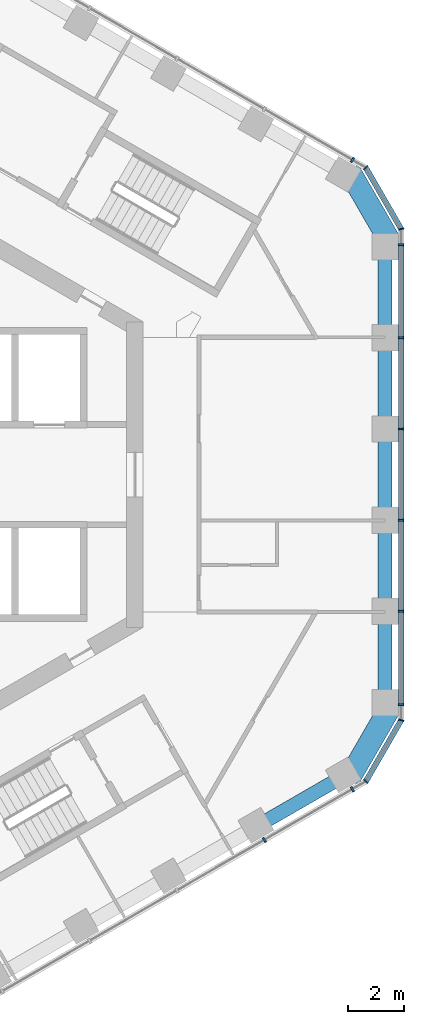
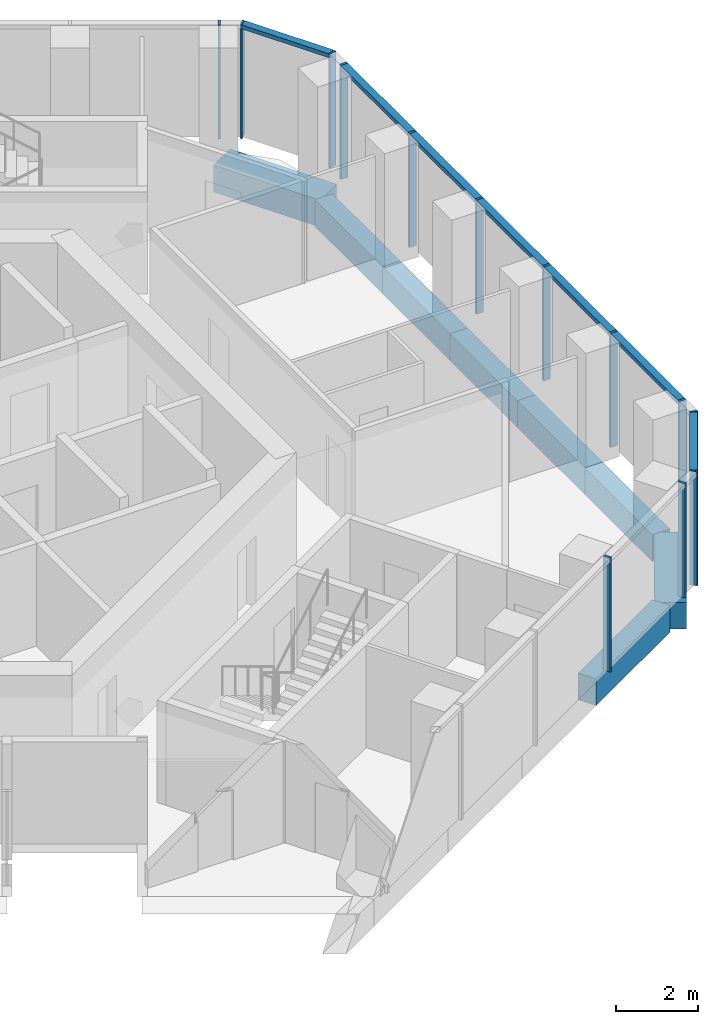
# One storey, part 5 of 18: 16 members, 8 beams, 5 elements without a shape of their own.
"""IFC4 building model written with IfcOpenShell, lengths in metres."""

from ifc_helpers import new_model, si_unit, direction, frame, origin, origin_2d, place, context, subcontext, project, spatial, rectangle, extrude, material, layer, layer_set, material_profile, profile_set, type_object, element, aggregate, save


model = new_model("IFC4")

# Units and contexts
model_context = context("Model", 3, precision=1e-05, world=origin(), true_north=direction((0.0, 1.0)))
body_context = subcontext(model_context, "Body", "Model", "MODEL_VIEW")
ifc_project = project(units=[si_unit("LENGTHUNIT", "METRE"), si_unit("AREAUNIT", "SQUARE_METRE"), si_unit("VOLUMEUNIT", "CUBIC_METRE"), si_unit("PLANEANGLEUNIT", "RADIAN"), si_unit("MASSUNIT", "GRAM", prefix="KILO")], contexts=[model_context])

# Site, building, storey
site_placement = place(None, origin())
site = spatial("IfcSite", under=ifc_project, at=site_placement, CompositionType="ELEMENT")
building_placement = place(site_placement, origin())
building = spatial("IfcBuilding", under=site, at=building_placement, Name="Ayvan Gate Tower", CompositionType="ELEMENT")
storey_placement = place(building_placement, frame((0.0, 0.0, 179.89990234375)))
storey = spatial("IfcBuildingStorey", under=building, at=storey_placement, Name="L48", CompositionType="ELEMENT", Elevation=179.89990234375)

# Beams
ifc_material_1 = material(Name="Concrete C40/50", Category="concrete")
ifc_material_profile_1 = material_profile(ifc_material_1, rectangle(XDim=0.800048828125, YDim=0.800048828125, at=origin_2d()), Name="RC 800x800")
ifc_profile_set_1 = profile_set([ifc_material_profile_1], Name="Concrete C40/50")
beam_type_1 = type_object("IfcBeamType", Name="Corner spandrel beam RC 800x800 C40/50", PredefinedType="BEAM", material=ifc_profile_set_1)
for number, where, z_axis, x_axis, name in (
    (1, (18.376953125, 8.3447265625, -0.75), (-0.499990139034, 0.866031096941, 0.0), (-0.866031096941, -0.499990139034, 0.0), "SB-L48-6"),
    (2, (16.876953125, -10.94287109375, -0.75), (0.499990139034, 0.866031096941, 0.0), (-0.866031096941, 0.499990139034, 0.0), "SB-L48-36"),
):
    element("IfcBeam", number, at=place(storey_placement, frame(where, z_axis=z_axis, x_axis=x_axis)), inside=storey, type_object=beam_type_1, Name=name, PredefinedType="BEAM", context=body_context, shape_type="SweptSolid", body=[
        extrude(rectangle(XDim=0.800048828125, YDim=0.800048828125, at=origin_2d()), origin(), (0.0, 0.0, 1.0), 3.0),
    ])
ifc_material_profile_2 = material_profile(ifc_material_1, rectangle(XDim=0.5, YDim=0.800048828125, at=origin_2d()), Name="RC 500x800")
ifc_profile_set_2 = profile_set([ifc_material_profile_2], Name="Concrete C40/50")
beam_type_2 = type_object("IfcBeamType", Name="Spandrel beam RC 500x800 C40/50", PredefinedType="BEAM", material=ifc_profile_set_2)
for number, where, z_axis, x_axis, name in (
    (3, (18.1865234375, -8.23486328125, -0.75), (0.0, 1.0, 0.0), (-1.0, 0.0, 0.0), "SB-L48-1"),
    (4, (18.1865234375, -4.94091796875, -0.75), (0.0, 1.0, 0.0), (-1.0, 0.0, 0.0), "SB-L48-2"),
    (5, (18.1865234375, -1.64697265625, -0.75), (0.0, 1.0, 0.0), (-1.0, 0.0, 0.0), "SB-L48-3"),
    (6, (18.1865234375, 1.64697265625, -0.75), (0.0, 1.0, 0.0), (-1.0, 0.0, 0.0), "SB-L48-4"),
    (7, (18.1865234375, 4.94091796875, -0.75), (0.0, 1.0, 0.0), (-1.0, 0.0, 0.0), "SB-L48-5"),
):
    element("IfcBeam", number, at=place(storey_placement, frame(where, z_axis=z_axis, x_axis=x_axis)), inside=storey, type_object=beam_type_2, Name=name, PredefinedType="BEAM", context=body_context, shape_type="SweptSolid", body=[
        extrude(rectangle(XDim=0.5, YDim=0.800048828125, at=origin_2d()), origin(), (0.0, 0.0, 1.0), 3.2939453125),
    ])
beam_placement = place(storey_placement, frame((13.556884765625, -12.639892578125, -0.75), z_axis=(0.866026957163, 0.49999730946, 0.0), x_axis=(-0.49999730946, 0.866026957163, 0.0)))
element("IfcBeam", 8, at=beam_placement, inside=storey, type_object=beam_type_2, Name="SB-L48-35", PredefinedType="BEAM", context=body_context, shape_type="SweptSolid", body=[
    extrude(rectangle(XDim=0.5, YDim=0.800048828125, at=origin_2d()), origin(), (0.0, 0.0, 1.0), 3.61376953125),
])

# Curtain wall, members
ifc_material_2 = material(Name="Bronze anodised aluminium", Category="aluminium")
ifc_layer_1 = layer(ifc_material_2, 0.199951171875)
ifc_layer_set_1 = layer_set([ifc_layer_1], Name="Bronze anodised aluminium")
curtain_wall_type_1 = type_object("IfcCurtainWallType", Name="Stick curtain wall CW-2", PredefinedType="NOTDEFINED", material=ifc_layer_set_1)
curtain_wall_1_placement = place(storey_placement, origin())
curtain_wall_1 = element("IfcCurtainWall", 9, at=curtain_wall_1_placement, inside=storey, type_object=curtain_wall_type_1, Name="Stick curtain wall CW-2 L48", PredefinedType="NOTDEFINED")
ifc_material_profile_3 = material_profile(ifc_material_2, rectangle(XDim=0.199951171875, YDim=0.070068359375, at=origin_2d()), Name="Stick curtain wall CW-2 mullion 200 x 70")
ifc_profile_set_3 = profile_set([ifc_material_profile_3], Name="Bronze anodised aluminium")
member_type_1 = type_object("IfcMemberType", Name="Stick curtain wall CW-2 mullion 200 x 70", PredefinedType="MULLION", material=ifc_profile_set_3)
member_1_placement = place(storey_placement, frame((13.850341796875, -13.119140625, 0.0), z_axis=(0.0, 0.0, 1.0), x_axis=(0.5, -0.866025403784, 0.0)))
member_1 = element("IfcMember", 10, at=member_1_placement, type_object=member_type_1, Name="CW-2 mullion 5", PredefinedType="MULLION", context=body_context, shape_type="SweptSolid", body=[
    extrude(rectangle(XDim=0.199951171875, YDim=0.070068359375, at=origin_2d()), origin(), (0.0, 0.0, 1.0), 3.400146484375),
])
member_2_placement = place(storey_placement, frame((17.00927734375, -11.29541015625, 0.0), z_axis=(0.0, 0.0, 1.0), x_axis=(0.5, -0.866025403784, 0.0)))
member_2 = element("IfcMember", 11, at=member_2_placement, type_object=member_type_1, Name="CW-2 mullion 6", PredefinedType="MULLION", context=body_context, shape_type="SweptSolid", body=[
    extrude(rectangle(XDim=0.199951171875, YDim=0.070068359375, at=origin_2d()), origin(), (0.0, 0.0, 1.0), 3.400146484375),
])
aggregate(curtain_wall_1, [member_1, member_2])

curtain_wall_2_placement = place(storey_placement, origin())
curtain_wall_2 = element("IfcCurtainWall", 12, at=curtain_wall_2_placement, inside=storey, type_object=curtain_wall_type_1, Name="Stick curtain wall CW-2 L48", PredefinedType="NOTDEFINED")
member_3_placement = place(storey_placement, frame((18.761474609375, -8.260498046875, 0.0), z_axis=(0.0, 0.0, 1.0), x_axis=(1.0, 0.0, 0.0)))
member_3 = element("IfcMember", 13, at=member_3_placement, type_object=member_type_1, Name="CW-2 mullion 1", PredefinedType="MULLION", context=body_context, shape_type="SweptSolid", body=[
    extrude(rectangle(XDim=0.199951171875, YDim=0.070068359375, at=origin_2d()), origin(), (0.0, 0.0, 1.0), 3.400146484375),
])
member_4_placement = place(storey_placement, frame((18.761474609375, -4.911376953125, 0.0), z_axis=(0.0, 0.0, 1.0), x_axis=(1.0, 0.0, 0.0)))
member_4 = element("IfcMember", 14, at=member_4_placement, type_object=member_type_1, Name="CW-2 mullion 2", PredefinedType="MULLION", context=body_context, shape_type="SweptSolid", body=[
    extrude(rectangle(XDim=0.199951171875, YDim=0.070068359375, at=origin_2d()), origin(), (0.0, 0.0, 1.0), 3.400146484375),
])
member_5_placement = place(storey_placement, frame((18.761474609375, -1.637451171875, 0.0), z_axis=(0.0, 0.0, 1.0), x_axis=(1.0, 0.0, 0.0)))
member_5 = element("IfcMember", 15, at=member_5_placement, type_object=member_type_1, Name="CW-2 mullion 3", PredefinedType="MULLION", context=body_context, shape_type="SweptSolid", body=[
    extrude(rectangle(XDim=0.199951171875, YDim=0.070068359375, at=origin_2d()), origin(), (0.0, 0.0, 1.0), 3.400146484375),
])
member_6_placement = place(storey_placement, frame((18.761474609375, 1.6376953125, 0.0), z_axis=(0.0, 0.0, 1.0), x_axis=(1.0, 0.0, 0.0)))
member_6 = element("IfcMember", 16, at=member_6_placement, type_object=member_type_1, Name="CW-2 mullion 4", PredefinedType="MULLION", context=body_context, shape_type="SweptSolid", body=[
    extrude(rectangle(XDim=0.199951171875, YDim=0.070068359375, at=origin_2d()), origin(), (0.0, 0.0, 1.0), 3.400146484375),
])
member_7_placement = place(storey_placement, frame((18.761474609375, 4.91162109375, 0.0), z_axis=(0.0, 0.0, 1.0), x_axis=(1.0, 0.0, 0.0)))
member_7 = element("IfcMember", 17, at=member_7_placement, type_object=member_type_1, Name="CW-2 mullion 5", PredefinedType="MULLION", context=body_context, shape_type="SweptSolid", body=[
    extrude(rectangle(XDim=0.199951171875, YDim=0.070068359375, at=origin_2d()), origin(), (0.0, 0.0, 1.0), 3.400146484375),
])
member_8_placement = place(storey_placement, frame((18.761474609375, 8.260498046875, 0.0), z_axis=(0.0, 0.0, 1.0), x_axis=(1.0, 0.0, 0.0)))
member_8 = element("IfcMember", 18, at=member_8_placement, type_object=member_type_1, Name="CW-2 mullion 6", PredefinedType="MULLION", context=body_context, shape_type="SweptSolid", body=[
    extrude(rectangle(XDim=0.199951171875, YDim=0.070068359375, at=origin_2d()), origin(), (0.0, 0.0, 1.0), 3.400146484375),
])

# Curtain wall, member
curtain_wall_3_placement = place(storey_placement, origin())
curtain_wall_3 = element("IfcCurtainWall", 19, at=curtain_wall_3_placement, inside=storey, type_object=curtain_wall_type_1, Name="Stick curtain wall CW-2 L48", PredefinedType="NOTDEFINED")
member_9_placement = place(storey_placement, frame((17.00927734375, 11.29541015625, 0.0), z_axis=(0.0, 0.0, 1.0), x_axis=(0.5, 0.866025403784, 0.0)))
member_9 = element("IfcMember", 20, at=member_9_placement, type_object=member_type_1, Name="CW-2 mullion 1", PredefinedType="MULLION", context=body_context, shape_type="SweptSolid", body=[
    extrude(rectangle(XDim=0.199951171875, YDim=0.070068359375, at=origin_2d()), origin(), (0.0, 0.0, 1.0), 3.400146484375),
])
aggregate(curtain_wall_3, [member_9])

# Member
ifc_material_profile_4 = material_profile(ifc_material_2, rectangle(XDim=0.199951171875, YDim=0.1201171875, at=origin_2d()), Name="Stick curtain wall CW-2 transom 200 x 120")
ifc_profile_set_4 = profile_set([ifc_material_profile_4], Name="Bronze anodised aluminium")
member_type_2 = type_object("IfcMemberType", Name="Stick curtain wall CW-2 transom 200 x 120", PredefinedType="USERDEFINED", material=ifc_profile_set_4)
member_10_placement = place(storey_placement, frame((18.761474609375, -8.260498046875, 3.340087890625), z_axis=(0.0, 1.0, 0.0), x_axis=(-1.0, 0.0, 0.0)))
member_10 = element("IfcMember", 21, at=member_10_placement, type_object=member_type_2, Name="CW-2 transom 1", ObjectType="TRANSOM", PredefinedType="USERDEFINED", context=body_context, shape_type="SweptSolid", body=[
    extrude(rectangle(XDim=0.199951171875, YDim=0.1201171875, at=origin_2d()), origin(), (0.0, 0.0, 1.0), 16.52099609375),
])

aggregate(curtain_wall_2, [member_3, member_4, member_5, member_6, member_7, member_8, member_10])

# Curtain wall, members
ifc_layer_2 = layer(ifc_material_2, 0.199951171875)
ifc_layer_set_2 = layer_set([ifc_layer_2], Name="Bronze anodised aluminium")
curtain_wall_type_2 = type_object("IfcCurtainWallType", Name="Stick curtain wall CW-6", PredefinedType="NOTDEFINED", material=ifc_layer_set_2)
curtain_wall_4_placement = place(storey_placement, origin())
curtain_wall_4 = element("IfcCurtainWall", 22, at=curtain_wall_4_placement, inside=storey, type_object=curtain_wall_type_2, Name="Stick curtain wall CW-6 L48", PredefinedType="NOTDEFINED")
ifc_material_profile_5 = material_profile(ifc_material_2, rectangle(XDim=0.199951171875, YDim=0.050048828125, at=origin_2d()), Name="Stick curtain wall CW-6 mullion 200 x 50")
ifc_profile_set_5 = profile_set([ifc_material_profile_5], Name="Bronze anodised aluminium")
member_type_3 = type_object("IfcMemberType", Name="Stick curtain wall CW-6 mullion 200 x 50", PredefinedType="MULLION", material=ifc_profile_set_5)
member_11_placement = place(storey_placement, frame((17.494140625, -11.015380859375, 0.0), z_axis=(0.0, 0.0, 1.0), x_axis=(0.707106781187, -0.707106781187, 0.0)))
member_11 = element("IfcMember", 23, at=member_11_placement, type_object=member_type_3, Name="CW-6 mullion 2", PredefinedType="MULLION", context=body_context, shape_type="SweptSolid", body=[
    extrude(rectangle(XDim=0.199951171875, YDim=0.050048828125, at=origin_2d()), origin(), (0.0, 0.0, 1.0), 3.400146484375),
])
member_12_placement = place(storey_placement, frame((18.761474609375, -8.8203125, 0.0), z_axis=(0.0, 0.0, 1.0), x_axis=(0.965925826289, -0.258819045103, 0.0)))
member_12 = element("IfcMember", 24, at=member_12_placement, type_object=member_type_3, Name="CW-6 mullion 3", PredefinedType="MULLION", context=body_context, shape_type="SweptSolid", body=[
    extrude(rectangle(XDim=0.199951171875, YDim=0.050048828125, at=origin_2d()), origin(), (0.0, 0.0, 1.0), 3.400146484375),
])

curtain_wall_5_placement = place(storey_placement, origin())
curtain_wall_5 = element("IfcCurtainWall", 25, at=curtain_wall_5_placement, inside=storey, type_object=curtain_wall_type_2, Name="Stick curtain wall CW-6 L48", PredefinedType="NOTDEFINED")
member_13_placement = place(storey_placement, frame((18.761474609375, 8.8203125, 0.0), z_axis=(0.0, 0.0, 1.0), x_axis=(0.965925826289, 0.258819045103, 0.0)))
member_13 = element("IfcMember", 26, at=member_13_placement, type_object=member_type_3, Name="CW-6 mullion 2", PredefinedType="MULLION", context=body_context, shape_type="SweptSolid", body=[
    extrude(rectangle(XDim=0.199951171875, YDim=0.050048828125, at=origin_2d()), origin(), (0.0, 0.0, 1.0), 3.400146484375),
])
member_14_placement = place(storey_placement, frame((17.494140625, 11.015380859375, 0.0), z_axis=(0.0, 0.0, 1.0), x_axis=(0.707106781187, 0.707106781187, 0.0)))
member_14 = element("IfcMember", 27, at=member_14_placement, type_object=member_type_3, Name="CW-6 mullion 3", PredefinedType="MULLION", context=body_context, shape_type="SweptSolid", body=[
    extrude(rectangle(XDim=0.199951171875, YDim=0.050048828125, at=origin_2d()), origin(), (0.0, 0.0, 1.0), 3.400146484375),
])

# Member
ifc_material_profile_6 = material_profile(ifc_material_2, rectangle(XDim=0.199951171875, YDim=0.1201171875, at=origin_2d()), Name="Stick curtain wall CW-6 transom 200 x 120")
ifc_profile_set_6 = profile_set([ifc_material_profile_6], Name="Bronze anodised aluminium")
member_type_4 = type_object("IfcMemberType", Name="Stick curtain wall CW-6 transom 200 x 120", PredefinedType="USERDEFINED", material=ifc_profile_set_6)
member_15_placement = place(storey_placement, frame((17.5068359375, -10.99365234375, 3.340087890625), z_axis=(0.499986149909, 0.86603339999, 0.0), x_axis=(-0.86603339999, 0.499986149909, 0.0)))
member_15 = element("IfcMember", 28, at=member_15_placement, type_object=member_type_4, Name="CW-6 transom 2", ObjectType="TRANSOM", PredefinedType="USERDEFINED", context=body_context, shape_type="SweptSolid", body=[
    extrude(rectangle(XDim=0.199951171875, YDim=0.1201171875, at=origin_2d()), origin(), (0.0, 0.0, 1.0), 2.484375),
])

aggregate(curtain_wall_4, [member_11, member_12, member_15])

member_16_placement = place(storey_placement, frame((18.7490234375, 8.842041015625, 3.340087890625), z_axis=(-0.499986149909, 0.86603339999, 0.0), x_axis=(-0.86603339999, -0.499986149909, 0.0)))
member_16 = element("IfcMember", 29, at=member_16_placement, type_object=member_type_4, Name="CW-6 transom 2", ObjectType="TRANSOM", PredefinedType="USERDEFINED", context=body_context, shape_type="SweptSolid", body=[
    extrude(rectangle(XDim=0.199951171875, YDim=0.1201171875, at=origin_2d()), origin(), (0.0, 0.0, 1.0), 2.484375),
])

aggregate(curtain_wall_5, [member_13, member_14, member_16])

save(model, "model.ifc")
